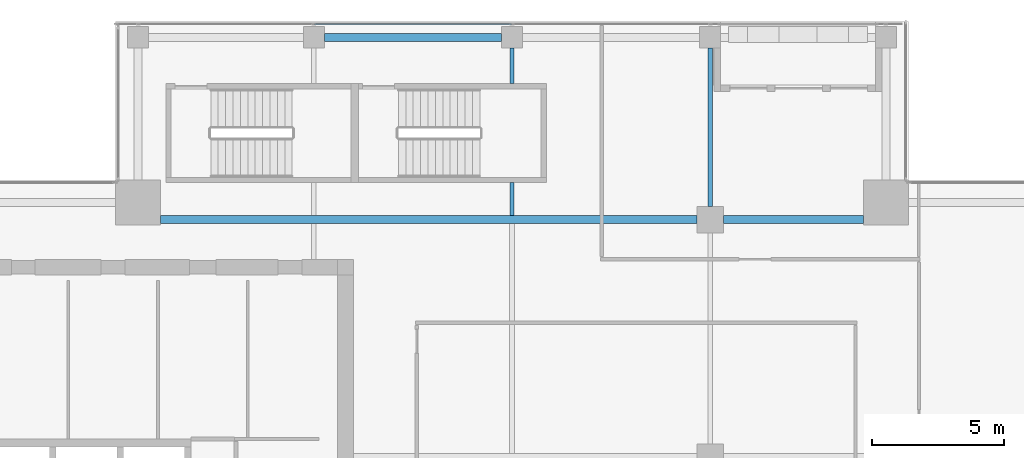
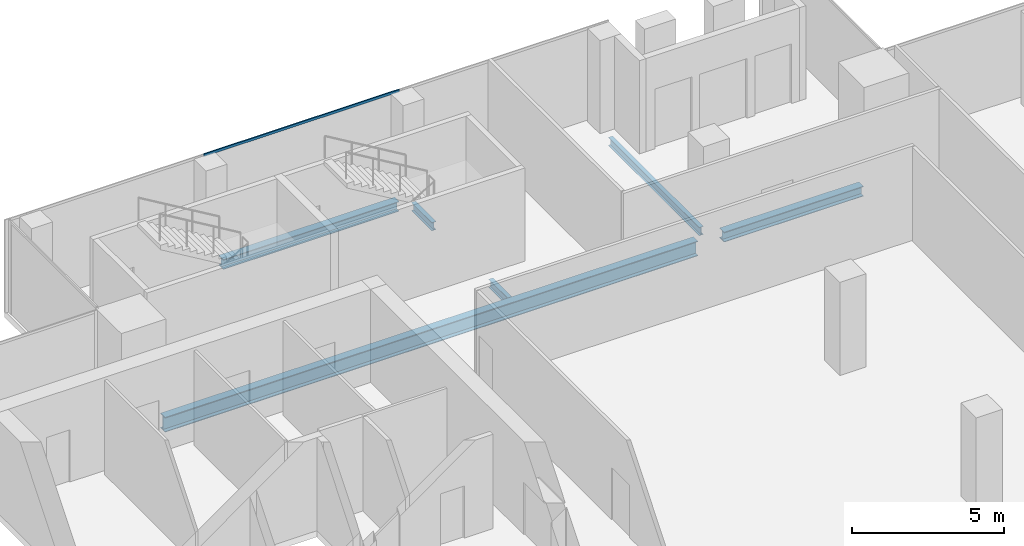
# One storey, part 16 of 29: 6 beams, 1 member, 1 element without a shape of its own.
"""IFC4 building model written with IfcOpenShell, lengths in metres."""

from ifc_helpers import new_model, si_unit, direction, frame, origin, origin_2d, place, context, subcontext, project, spatial, hollow_rectangle, i_section, extrude, source, transform, mapped, material, material_profile, profile_set, type_object, element, aggregate, save


model = new_model("IFC4")

# Units and contexts
model_context = context("Model", 3, precision=1e-05, world=origin(), true_north=direction((0.0, 1.0)))
body_context = subcontext(model_context, "Body", "Model", "MODEL_VIEW")
ifc_project = project(units=[si_unit("LENGTHUNIT", "METRE"), si_unit("AREAUNIT", "SQUARE_METRE"), si_unit("VOLUMEUNIT", "CUBIC_METRE"), si_unit("PLANEANGLEUNIT", "RADIAN"), si_unit("MASSUNIT", "GRAM", prefix="KILO")], contexts=[model_context])

# Site, building, storey
site_placement = place(None, origin())
site = spatial("IfcSite", under=ifc_project, at=site_placement, CompositionType="ELEMENT")
building_placement = place(site_placement, origin())
building = spatial("IfcBuilding", under=site, at=building_placement, Name="Khomas Fold Tower", CompositionType="ELEMENT")
storey_placement = place(building_placement, frame((0.0, 0.0, 326.199951171875)))
storey = spatial("IfcBuildingStorey", under=building, at=storey_placement, Name="L74", CompositionType="ELEMENT", Elevation=326.199951171875)

# Beams
ifc_material_1 = material(Name="Steel S355", Category="steel")
ifc_material_profile_1 = material_profile(ifc_material_1, i_section(OverallWidth=0.159912109375, OverallDepth=0.330078125, WebThickness=0.007568359375, FlangeThickness=0.011474609375, at=origin_2d()), Name="IPE 330")
ifc_profile_set_1 = profile_set([ifc_material_profile_1], Name="Steel S355")
beam_type_1 = type_object("IfcBeamType", Name="IPE 330 beam JB1", PredefinedType="BEAM", material=ifc_profile_set_1)
shared_shape_1 = source(origin(), body_context, "Body", "SweptSolid", [
    extrude(i_section(OverallWidth=0.159912109375, OverallDepth=0.330078125, WebThickness=0.007568359375, FlangeThickness=0.011474609375, at=origin_2d()), origin(), (0.0, 0.0, 1.0), 1.25),
])
beam_1_placement = place(storey_placement, frame((27.0, 40.64990234375, -0.4150390625), z_axis=(0.0, 1.0, 0.0), x_axis=(-1.0, 0.0, 0.0)))
element("IfcBeam", 1, at=beam_1_placement, inside=storey, type_object=beam_type_1, Name="JB1", PredefinedType="BEAM", context=body_context, shape_type="MappedRepresentation", body=[
    mapped(shared_shape_1, transform((0.0, 0.0, 0.0))),
])
shared_shape_2 = source(origin(), body_context, "Body", "SweptSolid", [
    extrude(i_section(OverallWidth=0.159912109375, OverallDepth=0.330078125, WebThickness=0.007568359375, FlangeThickness=0.011474609375, at=origin_2d()), origin(), (0.0, 0.0, 1.0), 1.35009765625),
])
beam_2_placement = place(storey_placement, frame((27.0, 45.64990234375, -0.4150390625), z_axis=(0.0, 1.0, 0.0), x_axis=(-1.0, 0.0, 0.0)))
element("IfcBeam", 2, at=beam_2_placement, inside=storey, type_object=beam_type_1, Name="JB1", PredefinedType="BEAM", context=body_context, shape_type="MappedRepresentation", body=[
    mapped(shared_shape_2, transform((0.0, 0.0, 0.0))),
])
ifc_material_2 = material(Name="Steel S355", Category="steel")
ifc_material_profile_2 = material_profile(ifc_material_2, i_section(OverallWidth=0.300048828125, OverallDepth=0.39990234375, WebThickness=0.013427734375, FlangeThickness=0.02392578125, at=origin_2d()), Name="HE 400 B")
ifc_profile_set_2 = profile_set([ifc_material_profile_2], Name="Steel S355")
beam_type_2 = type_object("IfcBeamType", Name="HE 400 B spandrel SB5", PredefinedType="SPANDREL", material=ifc_profile_set_2)
shared_shape_3 = source(origin(), body_context, "Body", "SweptSolid", [
    extrude(i_section(OverallWidth=0.300048828125, OverallDepth=0.39990234375, WebThickness=0.013427734375, FlangeThickness=0.02392578125, at=origin_2d()), origin(), (0.0, 0.0, 1.0), 6.7001953125),
])
beam_3_placement = place(storey_placement, frame((19.89990234375, 47.39990234375, -0.449951171875), z_axis=(1.0, 0.0, 0.0), x_axis=(0.0, 1.0, 0.0)))
element("IfcBeam", 3, at=beam_3_placement, inside=storey, type_object=beam_type_2, Name="SB5", PredefinedType="SPANDREL", context=body_context, shape_type="MappedRepresentation", body=[
    mapped(shared_shape_3, transform((0.0, 0.0, 0.0))),
])
ifc_material_3 = material(Name="Steel S355", Category="steel")
ifc_material_profile_3 = material_profile(ifc_material_3, i_section(OverallWidth=0.300048828125, OverallDepth=0.60009765625, WebThickness=0.015380859375, FlangeThickness=0.030029296875, at=origin_2d()), Name="HE 600 B")
ifc_profile_set_3 = profile_set([ifc_material_profile_3], Name="Steel S355")
beam_type_3 = type_object("IfcBeamType", Name="HE 600 B beam GB5", PredefinedType="BEAM", material=ifc_profile_set_3)
shared_shape_4 = source(origin(), body_context, "Body", "SweptSolid", [
    extrude(i_section(OverallWidth=0.300048828125, OverallDepth=0.60009765625, WebThickness=0.015380859375, FlangeThickness=0.030029296875, at=origin_2d()), origin(), (0.0, 0.0, 1.0), 20.300048828125),
])
beam_4_placement = place(storey_placement, frame((13.699951171875, 40.5, -0.550048828125), z_axis=(1.0, 0.0, 0.0), x_axis=(0.0, 1.0, 0.0)))
element("IfcBeam", 4, at=beam_4_placement, inside=storey, type_object=beam_type_3, Name="GB5", PredefinedType="BEAM", context=body_context, shape_type="MappedRepresentation", body=[
    mapped(shared_shape_4, transform((0.0, 0.0, 0.0))),
])
ifc_material_4 = material(Name="Steel S355", Category="steel")
ifc_material_profile_4 = material_profile(ifc_material_4, i_section(OverallWidth=0.300048828125, OverallDepth=0.39990234375, WebThickness=0.013427734375, FlangeThickness=0.02392578125, at=origin_2d()), Name="HE 400 B")
ifc_profile_set_4 = profile_set([ifc_material_profile_4], Name="Steel S355")
beam_type_4 = type_object("IfcBeamType", Name="HE 400 B beam GB1", PredefinedType="BEAM", material=ifc_profile_set_4)
shared_shape_5 = source(origin(), body_context, "Body", "SweptSolid", [
    extrude(i_section(OverallWidth=0.300048828125, OverallDepth=0.39990234375, WebThickness=0.013427734375, FlangeThickness=0.02392578125, at=origin_2d()), origin(), (0.0, 0.0, 1.0), 5.300048828125),
])
beam_5_placement = place(storey_placement, frame((35.0, 40.5, -0.449951171875), z_axis=(1.0, 0.0, 0.0), x_axis=(0.0, 1.0, 0.0)))
element("IfcBeam", 5, at=beam_5_placement, inside=storey, type_object=beam_type_4, Name="GB1", PredefinedType="BEAM", context=body_context, shape_type="MappedRepresentation", body=[
    mapped(shared_shape_5, transform((0.0, 0.0, 0.0))),
])
shared_shape_6 = source(origin(), body_context, "Body", "SweptSolid", [
    extrude(i_section(OverallWidth=0.159912109375, OverallDepth=0.330078125, WebThickness=0.007568359375, FlangeThickness=0.011474609375, at=origin_2d()), origin(), (0.0, 0.0, 1.0), 6.0),
])
beam_6_placement = place(storey_placement, frame((34.5, 41.0, -0.4150390625), z_axis=(0.0, 1.0, 0.0), x_axis=(-1.0, 0.0, 0.0)))
element("IfcBeam", 6, at=beam_6_placement, inside=storey, type_object=beam_type_1, Name="JB1", PredefinedType="BEAM", context=body_context, shape_type="MappedRepresentation", body=[
    mapped(shared_shape_6, transform((0.0, 0.0, 0.0))),
])

# Curtain wall, member
ifc_material_5 = material(Name="Aluminium framed double glazing", Category="aluminium")
curtain_wall_type = type_object("IfcCurtainWallType", Name="SK-Unitised clear-glass wall, upper floors CW3", PredefinedType="NOTDEFINED", material=ifc_material_5)
curtain_wall_placement = place(storey_placement, origin())
curtain_wall = element("IfcCurtainWall", 7, at=curtain_wall_placement, inside=storey, type_object=curtain_wall_type, Name="CW3 run L74 06-1", PredefinedType="NOTDEFINED")
ifc_material_6 = material(Name="Aluminium", Category="aluminium")
ifc_material_profile_5 = material_profile(ifc_material_6, hollow_rectangle(XDim=0.050048828125, YDim=0.10009765625, WallThickness=0.00390625, at=origin_2d()), Name="SK-Unitised clear-glass wall, upper floors transom CW3-T")
ifc_profile_set_5 = profile_set([ifc_material_profile_5], Name="Aluminium")
member_type = type_object("IfcMemberType", Name="SK-Unitised clear-glass wall, upper floors transom CW3-T", PredefinedType="USERDEFINED", material=ifc_profile_set_5)
shared_shape_7 = source(origin(), body_context, "Body", "SweptSolid", [
    extrude(hollow_rectangle(XDim=0.050048828125, YDim=0.10009765625, WallThickness=0.00390625, at=origin_2d()), origin(), (0.0, 0.0, 1.0), 7.4501953125),
])
member_placement = place(storey_placement, frame((26.97509765625, 47.89990234375, 3.699951171875), z_axis=(-1.0, 0.0, 0.0), x_axis=(0.0, -1.0, 0.0)))
member = element("IfcMember", 8, at=member_placement, type_object=member_type, Name="CW3 transom 3", ObjectType="TRANSOM", PredefinedType="USERDEFINED", context=body_context, shape_type="MappedRepresentation", body=[
    mapped(shared_shape_7, transform((0.0, 0.0, 0.0))),
])
aggregate(curtain_wall, [member])

save(model, "model.ifc")
